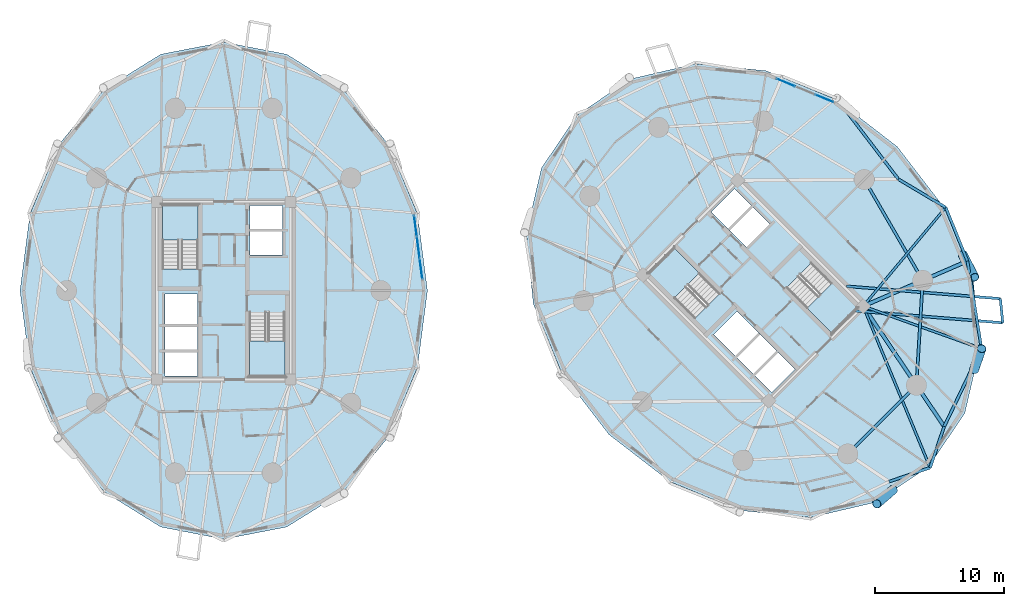
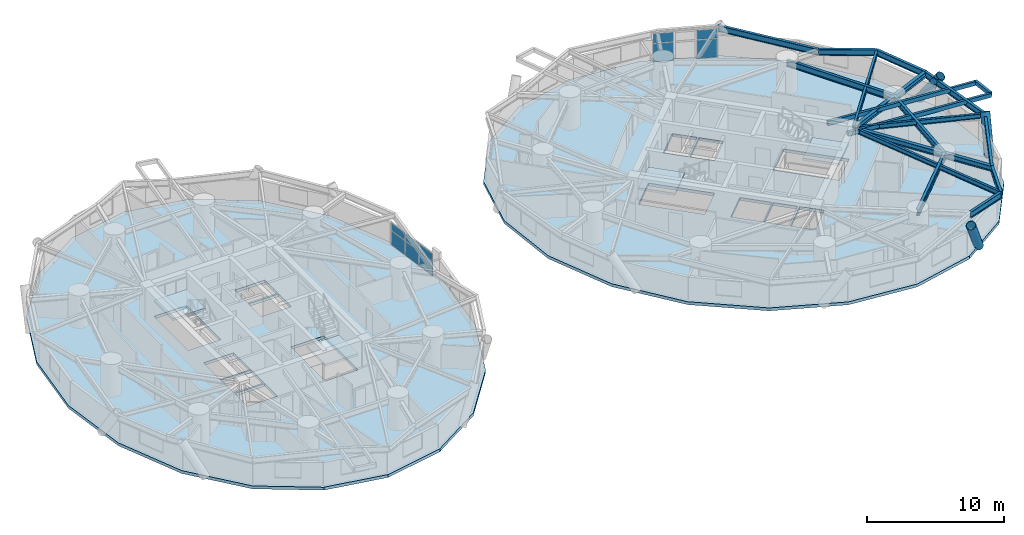
# One storey, part 8 of 18: 18 beams, 10 plates, 6 slabs, 3 members, 6 elements without a shape of their own.
"""IFC4 building model written with IfcOpenShell, lengths in metres."""

from ifc_helpers import new_model, si_unit, direction, frame, origin, origin_2d, place, context, subcontext, project, spatial, polyline, rectangle, hollow_rectangle, hollow_circle, i_section, outline, extrude, source, transform, mapped, material, layer, layer_set, material_profile, profile_set, type_object, element, aggregate, save


model = new_model("IFC4")

# Units and contexts
model_context = context("Model", 3, precision=1e-05, world=origin(), true_north=direction((0.0, 1.0)))
body_context = subcontext(model_context, "Body", "Model", "MODEL_VIEW")
ifc_project = project(units=[si_unit("LENGTHUNIT", "METRE"), si_unit("AREAUNIT", "SQUARE_METRE"), si_unit("VOLUMEUNIT", "CUBIC_METRE"), si_unit("PLANEANGLEUNIT", "RADIAN"), si_unit("MASSUNIT", "GRAM", prefix="KILO")], contexts=[model_context])

# Site, building, storey
site_placement = place(None, origin())
site = spatial("IfcSite", under=ifc_project, at=site_placement, CompositionType="ELEMENT")
building_placement = place(site_placement, origin())
building = spatial("IfcBuilding", under=site, at=building_placement, Name="Cununo Teusaquillo Station Towers", CompositionType="ELEMENT")
storey_placement = place(building_placement, frame((0.0, 0.0, 45.280029296875)))
storey = spatial("IfcBuildingStorey", under=building, at=storey_placement, Name="L13", CompositionType="ELEMENT", Elevation=45.280029296875)

# Beams
ifc_material_1 = material(Name="Steel EN 10025-2 S355J2", Category="steel")
ifc_material_profile_1 = material_profile(ifc_material_1, hollow_rectangle(XDim=0.199951171875, YDim=0.35009765625, WallThickness=0.013916015625, at=origin_2d()), Name="RHS 350x200x14")
ifc_profile_set_1 = profile_set([ifc_material_profile_1], Name="Steel EN 10025-2 S355J2")
beam_type_1 = type_object("IfcBeamType", Name="BM-BAL-CANT", PredefinedType="BEAM", material=ifc_profile_set_1)
beam_1_placement = place(storey_placement, frame((65.3427734375, 22.938232421875, 2.474853515625), z_axis=(0.996737206514, -0.080715185377, 0.0), x_axis=(0.080715185377, 0.996737206514, 0.0)))
element("IfcBeam", 1, at=beam_1_placement, inside=storey, type_object=beam_type_1, Name="L13 Tower B Balcony Cantilever Bracket 2A", PredefinedType="BEAM", context=body_context, shape_type="SweptSolid", body=[
    extrude(hollow_rectangle(XDim=0.199951171875, YDim=0.35009765625, WallThickness=0.013916015625, at=origin_2d()), origin(), (0.0, 0.0, 1.0), 11.524169921875),
])
beam_2_placement = place(storey_placement, frame((64.72412109375, 24.841796875, 2.474853515625), z_axis=(0.996738552182, -0.080698566242, 0.0), x_axis=(0.080698566242, 0.996738552182, 0.0)))
element("IfcBeam", 2, at=beam_2_placement, inside=storey, type_object=beam_type_1, Name="L13 Tower B Balcony Cantilever Bracket 2B", PredefinedType="BEAM", context=body_context, shape_type="SweptSolid", body=[
    extrude(hollow_rectangle(XDim=0.199951171875, YDim=0.35009765625, WallThickness=0.013916015625, at=origin_2d()), origin(), (0.0, 0.0, 1.0), 11.959228515625),
])
ifc_material_2 = material(Name="Steel ASTM A572 Grade 50", Category="steel")
ifc_material_profile_2 = material_profile(ifc_material_2, i_section(OverallWidth=0.180908203125, OverallDepth=0.4169921875, WebThickness=0.010986328125, FlangeThickness=0.018310546875, FilletRadius=0.012939453125, at=origin_2d()), Name="W16X57")
ifc_profile_set_2 = profile_set([ifc_material_profile_2], Name="Steel ASTM A572 Grade 50")
beam_type_2 = type_object("IfcBeamType", Name="BM-JOIST-1", PredefinedType="JOIST", material=ifc_profile_set_2)
beam_3_placement = place(storey_placement, frame((66.024169921875, 23.29443359375, 2.44140625), z_axis=(0.383107724927, -0.923703670612, 0.0), x_axis=(0.923703670612, 0.383107724927, 0.0)))
element("IfcBeam", 3, at=beam_3_placement, inside=storey, type_object=beam_type_2, Name="L13 Tower B Radial Spandrel Joist V15", PredefinedType="JOIST", context=body_context, shape_type="SweptSolid", body=[
    extrude(i_section(OverallWidth=0.180908203125, OverallDepth=0.4169921875, WebThickness=0.010986328125, FlangeThickness=0.018310546875, FilletRadius=0.012939453125, at=origin_2d()), origin(), (0.0, 0.0, 1.0), 13.5380859375),
])
beam_4_placement = place(storey_placement, frame((66.024169921875, 23.29443359375, 2.44140625), z_axis=(0.941404588136, -0.337279411522, 0.0), x_axis=(0.337279411522, 0.941404588136, 0.0)))
element("IfcBeam", 4, at=beam_4_placement, inside=storey, type_object=beam_type_2, Name="L13 Tower B Radial Spandrel Joist V17", PredefinedType="JOIST", context=body_context, shape_type="SweptSolid", body=[
    extrude(i_section(OverallWidth=0.180908203125, OverallDepth=0.4169921875, WebThickness=0.010986328125, FlangeThickness=0.018310546875, FilletRadius=0.012939453125, at=origin_2d()), origin(), (0.0, 0.0, 1.0), 9.740234375),
])
beam_5_placement = place(storey_placement, frame((66.024169921875, 23.29443359375, 2.44140625), z_axis=(0.641315728701, 0.767277092139, 0.0), x_axis=(-0.767277092139, 0.641315728701, 0.0)))
element("IfcBeam", 5, at=beam_5_placement, inside=storey, type_object=beam_type_2, Name="L13 Tower B Radial Spandrel Joist V19", PredefinedType="JOIST", context=body_context, shape_type="SweptSolid", body=[
    extrude(i_section(OverallWidth=0.180908203125, OverallDepth=0.4169921875, WebThickness=0.010986328125, FlangeThickness=0.018310546875, FilletRadius=0.012939453125, at=origin_2d()), origin(), (0.0, 0.0, 1.0), 9.97021484375),
])
ifc_material_3 = material(Name="Steel ASTM A572 Grade 50", Category="steel")
ifc_material_profile_3 = material_profile(ifc_material_3, i_section(OverallWidth=0.280029296875, OverallDepth=0.462890625, WebThickness=0.0107421875, FlangeThickness=0.017333984375, FilletRadius=0.013916015625, at=origin_2d()), Name="W18X76")
ifc_profile_set_3 = profile_set([ifc_material_profile_3], Name="Steel ASTM A572 Grade 50")
beam_type_3 = type_object("IfcBeamType", Name="BM-RAD-G1", PredefinedType="BEAM", material=ifc_profile_set_3)
beam_6_placement = place(storey_placement, frame((66.024169921875, 23.29443359375, 2.41845703125), z_axis=(0.558572297481, -0.82945583878, 0.0), x_axis=(0.82945583878, 0.558572297481, 0.0)))
element("IfcBeam", 6, at=beam_6_placement, inside=storey, type_object=beam_type_3, Name="L13 Tower B Continuous Overhanging Radial Girder 09", PredefinedType="BEAM", context=body_context, shape_type="SweptSolid", body=[
    extrude(i_section(OverallWidth=0.280029296875, OverallDepth=0.462890625, WebThickness=0.0107421875, FlangeThickness=0.017333984375, FilletRadius=0.013916015625, at=origin_2d()), origin(), (0.0, 0.0, 1.0), 11.22998046875),
])
beam_7_placement = place(storey_placement, frame((66.024169921875, 23.29443359375, 2.41845703125), z_axis=(0.917660203996, 0.397366015157, 0.0), x_axis=(-0.397366015157, 0.917660203996, 0.0)))
element("IfcBeam", 7, at=beam_7_placement, inside=storey, type_object=beam_type_3, Name="L13 Tower B Continuous Overhanging Radial Girder 10", PredefinedType="BEAM", context=body_context, shape_type="SweptSolid", body=[
    extrude(i_section(OverallWidth=0.280029296875, OverallDepth=0.462890625, WebThickness=0.0107421875, FlangeThickness=0.017333984375, FilletRadius=0.013916015625, at=origin_2d()), origin(), (0.0, 0.0, 1.0), 8.798095703125),
])
ifc_material_4 = material(Name="Steel ASTM A572 Grade 50", Category="steel")
ifc_material_profile_4 = material_profile(ifc_material_4, i_section(OverallWidth=0.214111328125, OverallDepth=0.549072265625, WebThickness=0.0146484375, FlangeThickness=0.023681640625, FilletRadius=0.014892578125, at=origin_2d()), Name="W21X93")
ifc_profile_set_4 = profile_set([ifc_material_profile_4], Name="Steel ASTM A572 Grade 50")
beam_type_4 = type_object("IfcBeamType", Name="BM-RING-Z1", PredefinedType="SPANDREL", material=ifc_profile_set_4)
beam_8_placement = place(storey_placement, frame((64.826904296875, 11.853759765625, 2.37548828125), z_axis=(0.707106781187, 0.707106781187, 0.0), x_axis=(-0.707106781187, 0.707106781187, 0.0)))
element("IfcBeam", 8, at=beam_8_placement, inside=storey, type_object=beam_type_4, Name="L13 Tower B Structural Column Ring Girder 08", PredefinedType="SPANDREL", context=body_context, shape_type="SweptSolid", body=[
    extrude(i_section(OverallWidth=0.214111328125, OverallDepth=0.549072265625, WebThickness=0.0146484375, FlangeThickness=0.023681640625, FilletRadius=0.014892578125, at=origin_2d()), origin(), (0.0, 0.0, 1.0), 7.522705078125),
])
beam_9_placement = place(storey_placement, frame((70.146240234375, 17.173095703125, 2.37548828125), z_axis=(0.06012979176, 0.998190567048, 0.0), x_axis=(-0.998190567048, 0.06012979176, 0.0)))
element("IfcBeam", 9, at=beam_9_placement, inside=storey, type_object=beam_type_4, Name="L13 Tower B Structural Column Ring Girder 09", PredefinedType="SPANDREL", context=body_context, shape_type="SweptSolid", body=[
    extrude(i_section(OverallWidth=0.214111328125, OverallDepth=0.549072265625, WebThickness=0.0146484375, FlangeThickness=0.023681640625, FilletRadius=0.014892578125, at=origin_2d()), origin(), (0.0, 0.0, 1.0), 8.132568359375),
])
beam_10_placement = place(storey_placement, frame((70.63525390625, 25.291015625, 2.37548828125), z_axis=(-0.501311121078, 0.865267103202, 0.0), x_axis=(-0.865267103202, -0.501311121078, 0.0)))
element("IfcBeam", 10, at=beam_10_placement, inside=storey, type_object=beam_type_4, Name="L13 Tower B Structural Column Ring Girder 10", PredefinedType="SPANDREL", context=body_context, shape_type="SweptSolid", body=[
    extrude(i_section(OverallWidth=0.214111328125, OverallDepth=0.549072265625, WebThickness=0.0146484375, FlangeThickness=0.023681640625, FilletRadius=0.014892578125, at=origin_2d()), origin(), (0.0, 0.0, 1.0), 9.032958984375),
])
beam_11_placement = place(storey_placement, frame((68.7529296875, 33.12939453125, 2.37548828125), z_axis=(-0.607410042696, 0.794388469222, 0.0), x_axis=(-0.794388469222, -0.607410042696, 0.0)))
element("IfcBeam", 11, at=beam_11_placement, inside=storey, type_object=beam_type_4, Name="L13 Tower B Spandrel Ring Beam 01", PredefinedType="SPANDREL", context=body_context, shape_type="SweptSolid", body=[
    extrude(i_section(OverallWidth=0.214111328125, OverallDepth=0.549072265625, WebThickness=0.0146484375, FlangeThickness=0.023681640625, FilletRadius=0.014892578125, at=origin_2d()), origin(), (0.0, 0.0, 1.0), 7.91650390625),
])
for number, where, z_axis, x_axis, name in (
    (12, (68.020263671875, 9.703125, 2.37548828125), (0.946642852865, 0.322284515794, 0.0), (-0.322284515794, 0.946642852865, 0.0), "L13 Tower B Spandrel Ring Beam 15"),
    (13, (71.210693359375, 10.789306640625, 2.37548828125), (0.322284515794, 0.946642852865, 0.0), (-0.946642852865, 0.322284515794, 0.0), "L13 Tower B Spandrel Ring Beam 16"),
):
    element("IfcBeam", number, at=place(storey_placement, frame(where, z_axis=z_axis, x_axis=x_axis)), inside=storey, type_object=beam_type_4, Name=name, PredefinedType="SPANDREL", context=body_context, shape_type="SweptSolid", body=[
        extrude(i_section(OverallWidth=0.214111328125, OverallDepth=0.549072265625, WebThickness=0.0146484375, FlangeThickness=0.023681640625, FilletRadius=0.014892578125, at=origin_2d()), origin(), (0.0, 0.0, 1.0), 3.370361328125),
    ])
beam_12_placement = place(storey_placement, frame((72.296875, 13.979736328125, 2.37548828125), z_axis=(0.433040723491, 0.901374357189, 0.0), x_axis=(-0.901374357189, 0.433040723491, 0.0)))
element("IfcBeam", 14, at=beam_12_placement, inside=storey, type_object=beam_type_4, Name="L13 Tower B Spandrel Ring Beam 17", PredefinedType="SPANDREL", context=body_context, shape_type="SweptSolid", body=[
    extrude(i_section(OverallWidth=0.214111328125, OverallDepth=0.549072265625, WebThickness=0.0146484375, FlangeThickness=0.023681640625, FilletRadius=0.014892578125, at=origin_2d()), origin(), (0.0, 0.0, 1.0), 6.689208984375),
])
beam_13_placement = place(storey_placement, frame((75.193603515625, 20.00927734375, 2.37548828125), z_axis=(-0.15950955411, 0.987196384793, 0.0), x_axis=(-0.987196384793, -0.15950955411, 0.0)))
element("IfcBeam", 15, at=beam_13_placement, inside=storey, type_object=beam_type_4, Name="L13 Tower B Spandrel Ring Beam 18", PredefinedType="SPANDREL", context=body_context, shape_type="SweptSolid", body=[
    extrude(i_section(OverallWidth=0.214111328125, OverallDepth=0.549072265625, WebThickness=0.0146484375, FlangeThickness=0.023681640625, FilletRadius=0.014892578125, at=origin_2d()), origin(), (0.0, 0.0, 1.0), 6.869140625),
])
beam_14_placement = place(storey_placement, frame((74.097900390625, 26.79052734375, 2.37548828125), z_axis=(-0.374882843411, 0.927072194447, 0.0), x_axis=(-0.927072194447, -0.374882843411, 0.0)))
element("IfcBeam", 16, at=beam_14_placement, inside=storey, type_object=beam_type_4, Name="L13 Tower B Spandrel Ring Beam 19", PredefinedType="SPANDREL", context=body_context, shape_type="SweptSolid", body=[
    extrude(i_section(OverallWidth=0.214111328125, OverallDepth=0.549072265625, WebThickness=0.0146484375, FlangeThickness=0.023681640625, FilletRadius=0.014892578125, at=origin_2d()), origin(), (0.0, 0.0, 1.0), 4.48046875),
])
beam_15_placement = place(storey_placement, frame((72.418212890625, 30.9443359375, 2.37548828125), z_axis=(-0.858948426011, 0.512062107027, 0.0), x_axis=(-0.512062107027, -0.858948426011, 0.0)))
element("IfcBeam", 17, at=beam_15_placement, inside=storey, type_object=beam_type_4, Name="L13 Tower B Spandrel Ring Beam 20", PredefinedType="SPANDREL", context=body_context, shape_type="SweptSolid", body=[
    extrude(i_section(OverallWidth=0.214111328125, OverallDepth=0.549072265625, WebThickness=0.0146484375, FlangeThickness=0.023681640625, FilletRadius=0.014892578125, at=origin_2d()), origin(), (0.0, 0.0, 1.0), 4.26708984375),
])
ifc_material_5 = material(Name="Steel EN 10025-2 S355J2", Category="steel")
ifc_material_profile_5 = material_profile(ifc_material_5, hollow_rectangle(XDim=0.199951171875, YDim=0.35009765625, WallThickness=0.013916015625, at=origin_2d()), Name="RHS 350x200x14")
ifc_profile_set_5 = profile_set([ifc_material_profile_5], Name="Steel EN 10025-2 S355J2")
beam_type_5 = type_object("IfcBeamType", Name="BM-STAIR-TRIM", PredefinedType="BEAM", material=ifc_profile_set_5)
beam_16_placement = place(storey_placement, frame((76.829345703125, 22.008056640625, 2.52490234375), z_axis=(-0.098551090973, 0.995131992485, 0.0), x_axis=(-0.995131992485, -0.098551090973, 0.0)))
element("IfcBeam", 18, at=beam_16_placement, inside=storey, type_object=beam_type_5, Name="L13 Tower B Balcony Edge Trimmer Beam 2", PredefinedType="BEAM", context=body_context, shape_type="SweptSolid", body=[
    extrude(hollow_rectangle(XDim=0.199951171875, YDim=0.35009765625, WallThickness=0.013916015625, at=origin_2d()), origin(), (0.0, 0.0, 1.0), 1.877685546875),
])

# Members
ifc_material_6 = material(Name="Steel EN 10025-2 S355J2", Category="steel")
ifc_material_profile_6 = material_profile(ifc_material_6, hollow_circle(Radius=0.360107421875, WallThickness=0.028076171875, at=origin_2d()), Name="CHS 720x28")
ifc_profile_set_6 = profile_set([ifc_material_profile_6], Name="Steel EN 10025-2 S355J2")
member_type = type_object("IfcMemberType", Name="MBR-DIAG-Z1", PredefinedType="BRACE", material=ifc_profile_set_6)
member_1_placement = place(storey_placement, frame((68.3369140625, 9.08349609375, -0.14013671875), z_axis=(-0.377611266897, -0.325765159965, 0.866768014907), x_axis=(0.653213588343, -0.75717369738, 0.0)))
element("IfcMember", 19, at=member_1_placement, inside=storey, type_object=member_type, Name="L13 Tower B Folded-Zigzag Diagrid Tube C14", PredefinedType="BRACE", context=body_context, shape_type="SweptSolid", body=[
    extrude(hollow_circle(Radius=0.360107421875, WallThickness=0.028076171875, at=origin_2d()), origin(), (0.0, 0.0, 1.0), 3.357421875),
])
member_2_placement = place(storey_placement, frame((74.62060546875, 18.380126953125, -0.14013671875), z_axis=(0.169325581489, 0.481427185886, 0.859974832273), x_axis=(-0.943352546931, 0.331792061688, 0.0)))
element("IfcMember", 20, at=member_2_placement, inside=storey, type_object=member_type, Name="L13 Tower B Folded-Zigzag Diagrid Tube C16", PredefinedType="BRACE", context=body_context, shape_type="SweptSolid", body=[
    extrude(hollow_circle(Radius=0.360107421875, WallThickness=0.028076171875, at=origin_2d()), origin(), (0.0, 0.0, 1.0), 3.384033203125),
])
member_3_placement = place(storey_placement, frame((73.7333984375, 27.303466796875, -0.14013671875), z_axis=(0.258305132943, -0.503328373672, 0.824584141584), x_axis=(0.889682480754, 0.456579766786, 0.0)))
element("IfcMember", 21, at=member_3_placement, inside=storey, type_object=member_type, Name="L13 Tower B Folded-Zigzag Diagrid Tube C18", PredefinedType="BRACE", context=body_context, shape_type="SweptSolid", body=[
    extrude(hollow_circle(Radius=0.360107421875, WallThickness=0.028076171875, at=origin_2d()), origin(), (0.0, 0.0, 1.0), 3.529296875),
])

# Stair, slab
ifc_material_7 = material(Name="Concrete C50/60", Category="concrete")
stair_type = type_object("IfcStairType", Name="ST-TWR-1300", PredefinedType="HALF_TURN_STAIR", material=ifc_material_7)
stair_1_placement = place(storey_placement, origin())
stair_1 = element("IfcStair", 22, at=stair_1_placement, inside=storey, type_object=stair_type, Name="L13 Tower A Protected Core Exit Stair 1", PredefinedType="HALF_TURN_STAIR")
ifc_material_8 = material(Name="Concrete C50/60", Category="concrete")
ifc_layer_1 = layer(ifc_material_8, 0.199951171875)
ifc_layer_set_1 = layer_set([ifc_layer_1], Name="Concrete C50/60")
slab_type_1 = type_object("IfcSlabType", Name="SLB-STAIR-LND", PredefinedType="LANDING", material=ifc_layer_set_1)
slab_1_placement = place(storey_placement, frame((0.0, 0.0, 1.2548828125)))
slab_1 = element("IfcSlab", 23, at=slab_1_placement, type_object=slab_type_1, Name="ST-T1-1 landing 1", PredefinedType="LANDING", context=body_context, shape_type="SweptSolid", body=[
    extrude(outline(polyline([(14.52001953125, 28.409912109375), (14.52001953125, 31.159912109375), (11.760009765625, 31.159912109375), (11.760009765625, 28.409912109375), (14.52001953125, 28.409912109375)])), origin(), (0.0, 0.0, 1.0), 0.2001953125),
])
aggregate(stair_1, [slab_1])

stair_2_placement = place(storey_placement, origin())
stair_2 = element("IfcStair", 24, at=stair_2_placement, inside=storey, type_object=stair_type, Name="L13 Tower A Protected Core Exit Stair 2", PredefinedType="HALF_TURN_STAIR")
slab_2_placement = place(storey_placement, frame((0.0, 0.0, 1.2548828125)))
slab_2 = element("IfcSlab", 25, at=slab_2_placement, type_object=slab_type_1, Name="ST-T1-2 landing 1", PredefinedType="LANDING", context=body_context, shape_type="SweptSolid", body=[
    extrude(outline(polyline([(18.47998046875, 20.590087890625), (18.47998046875, 17.840087890625), (21.239990234375, 17.840087890625), (21.239990234375, 20.590087890625), (18.47998046875, 20.590087890625)])), origin(), (0.0, 0.0, 1.0), 0.2001953125),
])
aggregate(stair_2, [slab_2])

stair_3_placement = place(storey_placement, origin())
stair_3 = element("IfcStair", 26, at=stair_3_placement, inside=storey, type_object=stair_type, Name="L13 Tower B Protected Core Exit Stair 1", PredefinedType="HALF_TURN_STAIR")
slab_3_placement = place(storey_placement, frame((0.0, 0.0, 1.2548828125)))
slab_3 = element("IfcSlab", 27, at=slab_3_placement, type_object=slab_type_1, Name="ST-T2-1 landing 1", PredefinedType="LANDING", context=body_context, shape_type="SweptSolid", body=[
    extrude(outline(polyline([(53.335205078125, 25.86474609375), (51.390625, 27.809326171875), (49.43896484375, 25.857666015625), (51.383544921875, 23.9130859375), (53.335205078125, 25.86474609375)])), origin(), (0.0, 0.0, 1.0), 0.2001953125),
])
aggregate(stair_3, [slab_3])

stair_4_placement = place(storey_placement, origin())
stair_4 = element("IfcStair", 28, at=stair_4_placement, inside=storey, type_object=stair_type, Name="L13 Tower B Protected Core Exit Stair 2", PredefinedType="HALF_TURN_STAIR")
slab_4_placement = place(storey_placement, frame((0.0, 0.0, 1.2548828125)))
slab_4 = element("IfcSlab", 29, at=slab_4_placement, type_object=slab_type_1, Name="ST-T2-2 landing 1", PredefinedType="LANDING", context=body_context, shape_type="SweptSolid", body=[
    extrude(outline(polyline([(61.664794921875, 23.13525390625), (63.609375, 21.190673828125), (65.56103515625, 23.142333984375), (63.616455078125, 25.0869140625), (61.664794921875, 23.13525390625)])), origin(), (0.0, 0.0, 1.0), 0.2001953125),
])
aggregate(stair_4, [slab_4])

# Slabs
ifc_material_9 = material(Name="Concrete C50/60", Category="concrete")
ifc_layer_2 = layer(ifc_material_9, 0.260009765625)
ifc_layer_set_2 = layer_set([ifc_layer_2], Name="Concrete C50/60")
slab_type_2 = type_object("IfcSlabType", Name="SLB-Z1-260", PredefinedType="FLOOR", material=ifc_layer_set_2)
slab_5_placement = place(storey_placement, frame((0.0, 0.0, -0.260009765625)))
element("IfcSlab", 30, at=slab_5_placement, inside=storey, type_object=slab_type_2, Name="L13 Tower A Floor Slab", PredefinedType="FLOOR", context=body_context, shape_type="SweptSolid", body=[
    extrude(outline(polyline([(32.279052734375, 24.5), (31.506591796875, 30.448486328125), (29.265380859375, 35.81494140625), (25.774658203125, 40.073486328125), (21.3759765625, 42.807861328125), (16.5, 43.75), (11.6240234375, 42.807861328125), (7.225341796875, 40.073486328125), (3.734619140625, 35.81494140625), (1.493408203125, 30.448486328125), (0.720947265625, 24.5), (1.493408203125, 18.551513671875), (3.734619140625, 13.18505859375), (7.225341796875, 8.926513671875), (11.6240234375, 6.192138671875), (16.5, 5.25), (21.3759765625, 6.192138671875), (25.774658203125, 8.926513671875), (29.265380859375, 13.18505859375), (31.506591796875, 18.551513671875), (32.279052734375, 24.5)]), holes=[polyline([(14.52001953125, 26.176025390625), (14.52001953125, 31.159912109375), (11.760009765625, 31.159912109375), (11.760009765625, 26.176025390625), (14.52001953125, 26.176025390625)]), polyline([(18.47998046875, 22.823974609375), (18.47998046875, 17.840087890625), (21.239990234375, 17.840087890625), (21.239990234375, 22.823974609375), (18.47998046875, 22.823974609375)]), polyline([(11.949951171875, 21.85009765625), (14.47998046875, 21.85009765625), (14.47998046875, 24.25), (11.949951171875, 24.25), (11.949951171875, 21.85009765625)]), polyline([(11.949951171875, 17.89990234375), (14.47998046875, 17.89990234375), (14.47998046875, 19.75), (11.949951171875, 19.75), (11.949951171875, 17.89990234375)]), polyline([(11.949951171875, 19.89990234375), (14.47998046875, 19.89990234375), (14.47998046875, 21.75), (11.949951171875, 21.75), (11.949951171875, 19.89990234375)]), polyline([(18.52001953125, 27.25), (21.050048828125, 27.25), (21.050048828125, 29.10009765625), (18.52001953125, 29.10009765625), (18.52001953125, 27.25)]), polyline([(18.52001953125, 29.25), (21.050048828125, 29.25), (21.050048828125, 31.10009765625), (18.52001953125, 31.10009765625), (18.52001953125, 29.25)])]), origin(), (0.0, 0.0, 1.0), 0.260009765625),
])
slab_6_placement = place(storey_placement, frame((0.0, 0.0, -0.260009765625)))
element("IfcSlab", 31, at=slab_6_placement, inside=storey, type_object=slab_type_2, Name="L13 Tower B Floor Slab", PredefinedType="FLOOR", context=body_context, shape_type="SweptSolid", body=[
    extrude(outline(polyline([(68.657470703125, 35.657470703125), (63.905029296875, 39.317626953125), (58.525634765625, 41.52734375), (53.0458984375, 42.0703125), (48.002197265625, 40.893310546875), (43.88818359375, 38.11181640625), (41.106689453125, 33.997802734375), (39.9296875, 28.9541015625), (40.47265625, 23.474365234375), (42.682373046875, 18.094970703125), (46.342529296875, 13.342529296875), (51.094970703125, 9.682373046875), (56.474365234375, 7.47265625), (61.9541015625, 6.9296875), (66.997802734375, 8.106689453125), (71.11181640625, 10.88818359375), (73.893310546875, 15.002197265625), (75.0703125, 20.0458984375), (74.52734375, 25.525634765625), (72.317626953125, 30.905029296875), (68.657470703125, 35.657470703125)]), holes=[polyline([(54.914794921875, 24.28515625), (51.390625, 27.809326171875), (49.43896484375, 25.857666015625), (52.963134765625, 22.33349609375), (54.914794921875, 24.28515625)]), polyline([(60.085205078125, 24.71484375), (63.609375, 21.190673828125), (65.56103515625, 23.142333984375), (62.036865234375, 26.66650390625), (60.085205078125, 24.71484375)]), polyline([(56.156494140625, 19.40869140625), (57.945556640625, 21.19775390625), (56.248291015625, 22.89501953125), (54.45947265625, 21.10595703125), (56.156494140625, 19.40869140625)]), polyline([(58.94970703125, 16.61572265625), (60.738525390625, 18.40478515625), (59.430419921875, 19.712890625), (57.641357421875, 17.923828125), (58.94970703125, 16.61572265625)]), polyline([(57.535400390625, 18.030029296875), (59.32421875, 19.819091796875), (58.01611328125, 21.127197265625), (56.227294921875, 19.338134765625), (57.535400390625, 18.030029296875)]), polyline([(56.98388671875, 27.872802734375), (58.772705078125, 29.661865234375), (57.464599609375, 30.969970703125), (55.67578125, 29.180908203125), (56.98388671875, 27.872802734375)]), polyline([(55.569580078125, 29.287109375), (57.358642578125, 31.076171875), (56.05029296875, 32.38427734375), (54.261474609375, 30.59521484375), (55.569580078125, 29.287109375)])]), origin(), (0.0, 0.0, 1.0), 0.260009765625),
])

# Curtain wall, plates
ifc_material_10 = material(Name="Operable acoustic tinted low-E double glazing", Category="glass")
ifc_layer_3 = layer(ifc_material_10, 0.179931640625)
ifc_layer_set_3 = layer_set([ifc_layer_3], Name="Operable acoustic tinted low-E double glazing")
curtain_wall_type = type_object("IfcCurtainWallType", Name="CW-SYS-03", PredefinedType="USERDEFINED", material=ifc_layer_set_3)
curtain_wall_1_placement = place(storey_placement, origin())
curtain_wall_1 = element("IfcCurtainWall", 32, at=curtain_wall_1_placement, inside=storey, type_object=curtain_wall_type, Name="L13 Tower A Facade Curtain Wall C00", ObjectType="OPERABLE GLAZING", PredefinedType="USERDEFINED")
ifc_material_11 = material(Name="Operable acoustic tinted low-E double glazing", Category="glass")
ifc_layer_4 = layer(ifc_material_11, 0.031982421875)
ifc_layer_set_4 = layer_set([ifc_layer_4], Name="Operable acoustic tinted low-E double glazing")
plate_type = type_object("IfcPlateType", Name="CWP-OPER-32", PredefinedType="CURTAIN_PANEL", material=ifc_layer_set_4)
shared_shape_1 = source(origin(), body_context, "Body", "SweptSolid", [
    extrude(rectangle(XDim=1.58203125, YDim=0.031982421875, at=origin_2d()), origin(), (0.0, 0.0, 1.0), 1.241943359375),
])
plate_1_placement = place(storey_placement, frame((31.350830078125, 29.50830078125, 0.06982421875), z_axis=(0.0, 0.0, 1.0), x_axis=(0.128335588771, -0.991730798481, 0.0)))
plate_1 = element("IfcPlate", 33, at=plate_1_placement, type_object=plate_type, Name="CW-03 panel 1.1", PredefinedType="CURTAIN_PANEL", context=body_context, shape_type="MappedRepresentation", body=[
    mapped(shared_shape_1, transform((0.0, 0.0, 0.0), x_axis=(1.0, 0.0, 0.0), y_axis=(0.0, 1.0, 0.0), z_axis=(0.0, 0.0, 1.0), scale=1.0)),
])
plate_2_placement = place(storey_placement, frame((31.779296875, 26.19677734375, 0.06982421875), z_axis=(0.0, 0.0, 1.0), x_axis=(0.128335588771, -0.991730798481, 0.0)))
plate_2 = element("IfcPlate", 34, at=plate_2_placement, type_object=plate_type, Name="CW-03 panel 3.1", PredefinedType="CURTAIN_PANEL", context=body_context, shape_type="MappedRepresentation", body=[
    mapped(shared_shape_1, transform((0.0, 0.0, 0.0), x_axis=(1.0, 0.0, 0.0), y_axis=(0.0, 1.0, 0.0), z_axis=(0.0, 0.0, 1.0), scale=1.0)),
])
shared_shape_2 = source(origin(), body_context, "Body", "SweptSolid", [
    extrude(rectangle(XDim=1.58203125, YDim=0.031982421875, at=origin_2d()), origin(), (0.0, 0.0, 1.0), 0.62109375),
])
plate_3_placement = place(storey_placement, frame((31.350830078125, 29.50830078125, 1.3818359375), z_axis=(0.0, 0.0, 1.0), x_axis=(0.128335588771, -0.991730798481, 0.0)))
plate_3 = element("IfcPlate", 35, at=plate_3_placement, type_object=plate_type, Name="CW-03 panel 1.2", PredefinedType="CURTAIN_PANEL", context=body_context, shape_type="MappedRepresentation", body=[
    mapped(shared_shape_2, transform((0.0, 0.0, 0.0), x_axis=(1.0, 0.0, 0.0), y_axis=(0.0, 1.0, 0.0), z_axis=(0.0, 0.0, 1.0), scale=1.0)),
])
plate_4_placement = place(storey_placement, frame((31.779296875, 26.19677734375, 1.3818359375), z_axis=(0.0, 0.0, 1.0), x_axis=(0.128335588771, -0.991730798481, 0.0)))
plate_4 = element("IfcPlate", 36, at=plate_4_placement, type_object=plate_type, Name="CW-03 panel 3.2", PredefinedType="CURTAIN_PANEL", context=body_context, shape_type="MappedRepresentation", body=[
    mapped(shared_shape_2, transform((0.0, 0.0, 0.0), x_axis=(1.0, 0.0, 0.0), y_axis=(0.0, 1.0, 0.0), z_axis=(0.0, 0.0, 1.0), scale=1.0)),
])
shared_shape_3 = source(origin(), body_context, "Body", "SweptSolid", [
    extrude(rectangle(XDim=1.616943359375, YDim=0.031982421875, at=origin_2d()), origin(), (0.0, 0.0, 1.0), 1.241943359375),
])
plate_5_placement = place(storey_placement, frame((31.565185546875, 27.8525390625, 0.06982421875), z_axis=(0.0, 0.0, 1.0), x_axis=(0.128335588771, -0.991730798481, 0.0)))
plate_5 = element("IfcPlate", 37, at=plate_5_placement, type_object=plate_type, Name="CW-03 panel 2.1", PredefinedType="CURTAIN_PANEL", context=body_context, shape_type="MappedRepresentation", body=[
    mapped(shared_shape_3, transform((0.0, 0.0, 0.0), x_axis=(1.0, 0.0, 0.0), y_axis=(0.0, 1.0, 0.0), z_axis=(0.0, 0.0, 1.0), scale=1.0)),
])
shared_shape_4 = source(origin(), body_context, "Body", "SweptSolid", [
    extrude(rectangle(XDim=1.616943359375, YDim=0.031982421875, at=origin_2d()), origin(), (0.0, 0.0, 1.0), 0.62109375),
])
plate_6_placement = place(storey_placement, frame((31.565185546875, 27.8525390625, 1.3818359375), z_axis=(0.0, 0.0, 1.0), x_axis=(0.128335588771, -0.991730798481, 0.0)))
plate_6 = element("IfcPlate", 38, at=plate_6_placement, type_object=plate_type, Name="CW-03 panel 2.2", PredefinedType="CURTAIN_PANEL", context=body_context, shape_type="MappedRepresentation", body=[
    mapped(shared_shape_4, transform((0.0, 0.0, 0.0), x_axis=(1.0, 0.0, 0.0), y_axis=(0.0, 1.0, 0.0), z_axis=(0.0, 0.0, 1.0), scale=1.0)),
])
aggregate(curtain_wall_1, [plate_1, plate_3, plate_5, plate_6, plate_2, plate_4])

curtain_wall_2_placement = place(storey_placement, origin())
curtain_wall_2 = element("IfcCurtainWall", 39, at=curtain_wall_2_placement, inside=storey, type_object=curtain_wall_type, Name="L13 Tower B Facade Curtain Wall C01", ObjectType="OPERABLE GLAZING", PredefinedType="USERDEFINED")
shared_shape_5 = source(origin(), body_context, "Body", "SweptSolid", [
    extrude(rectangle(XDim=1.52099609375, YDim=0.031982421875, at=origin_2d()), origin(), (0.0, 0.0, 1.0), 1.60791015625),
])
plate_7_placement = place(storey_placement, frame((60.03564453125, 40.610595703125, 0.070068359375), z_axis=(0.0, 0.0, 1.0), x_axis=(0.924552379146, -0.381054980568, 0.0)))
plate_7 = element("IfcPlate", 40, at=plate_7_placement, type_object=plate_type, Name="CW-03 panel 1.1", PredefinedType="CURTAIN_PANEL", context=body_context, shape_type="MappedRepresentation", body=[
    mapped(shared_shape_5, transform((0.0, 0.0, 0.0), x_axis=(1.0, 0.0, 0.0), y_axis=(0.0, 1.0, 0.0), z_axis=(0.0, 0.0, 1.0), scale=1.0)),
])
plate_8_placement = place(storey_placement, frame((63.010009765625, 39.384765625, 0.070068359375), z_axis=(0.0, 0.0, 1.0), x_axis=(0.924552379146, -0.381054980568, 0.0)))
plate_8 = element("IfcPlate", 41, at=plate_8_placement, type_object=plate_type, Name="CW-03 panel 3.1", PredefinedType="CURTAIN_PANEL", context=body_context, shape_type="MappedRepresentation", body=[
    mapped(shared_shape_5, transform((0.0, 0.0, 0.0), x_axis=(1.0, 0.0, 0.0), y_axis=(0.0, 1.0, 0.0), z_axis=(0.0, 0.0, 1.0), scale=1.0)),
])
shared_shape_6 = source(origin(), body_context, "Body", "SweptSolid", [
    extrude(rectangle(XDim=1.52099609375, YDim=0.031982421875, at=origin_2d()), origin(), (0.0, 0.0, 1.0), 0.81689453125),
])
plate_9_placement = place(storey_placement, frame((60.03564453125, 40.610595703125, 1.748046875), z_axis=(0.0, 0.0, 1.0), x_axis=(0.924552379146, -0.381054980568, 0.0)))
plate_9 = element("IfcPlate", 42, at=plate_9_placement, type_object=plate_type, Name="CW-03 panel 1.2", PredefinedType="CURTAIN_PANEL", context=body_context, shape_type="MappedRepresentation", body=[
    mapped(shared_shape_6, transform((0.0, 0.0, 0.0), x_axis=(1.0, 0.0, 0.0), y_axis=(0.0, 1.0, 0.0), z_axis=(0.0, 0.0, 1.0), scale=1.0)),
])
plate_10_placement = place(storey_placement, frame((63.010009765625, 39.384765625, 1.748046875), z_axis=(0.0, 0.0, 1.0), x_axis=(0.924552379146, -0.381054980568, 0.0)))
plate_10 = element("IfcPlate", 43, at=plate_10_placement, type_object=plate_type, Name="CW-03 panel 3.2", PredefinedType="CURTAIN_PANEL", context=body_context, shape_type="MappedRepresentation", body=[
    mapped(shared_shape_6, transform((0.0, 0.0, 0.0), x_axis=(1.0, 0.0, 0.0), y_axis=(0.0, 1.0, 0.0), z_axis=(0.0, 0.0, 1.0), scale=1.0)),
])
aggregate(curtain_wall_2, [plate_7, plate_9, plate_8, plate_10])

save(model, "model.ifc")
